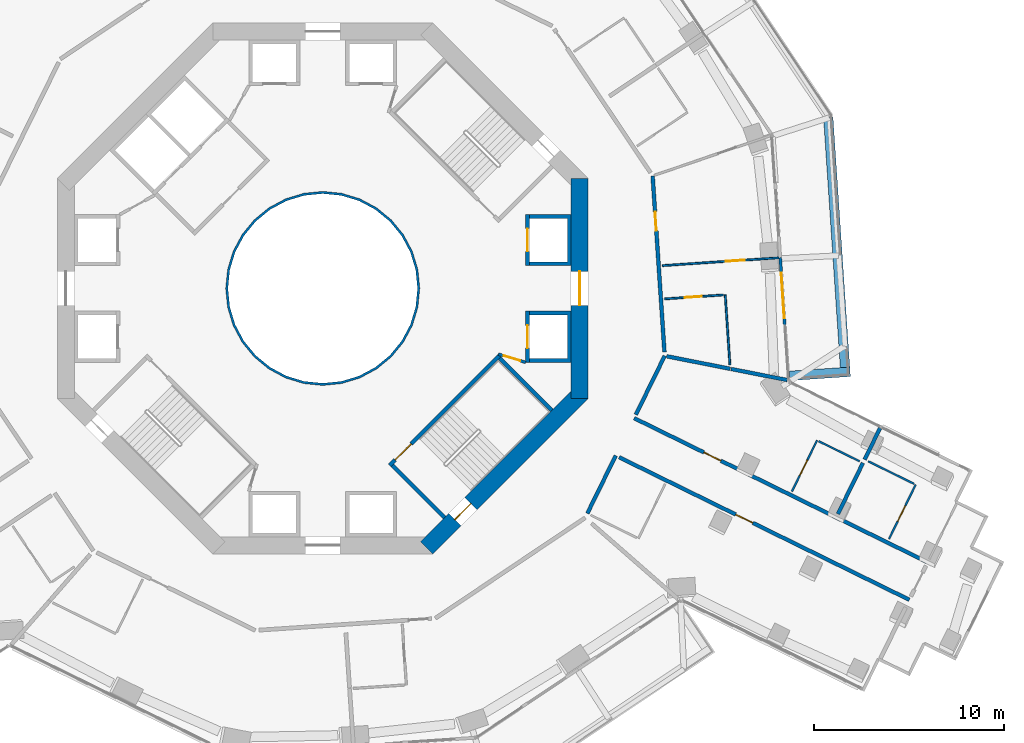
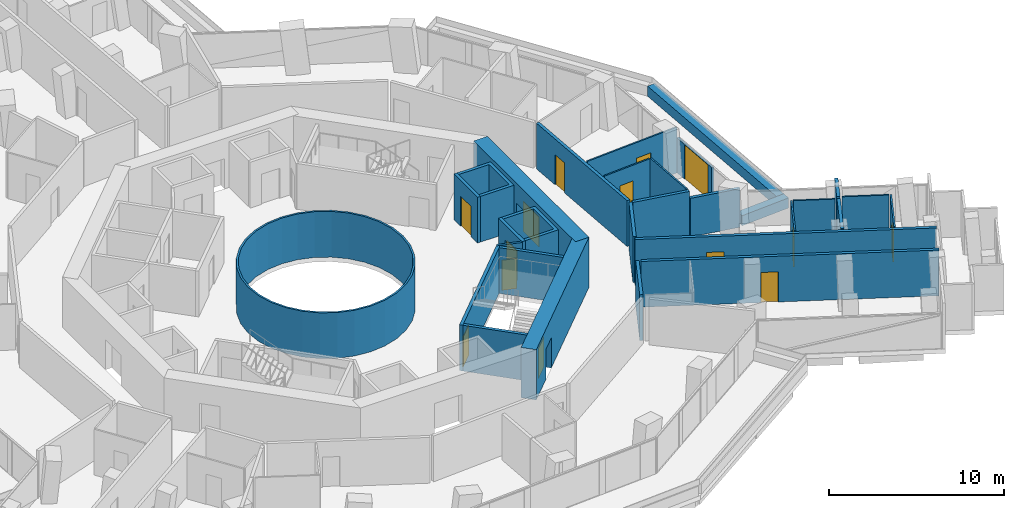
# One storey, part 19 of 25: 30 walls, 14 doors, 14 openings.
"""IFC4 building model written with IfcOpenShell, lengths in metres."""

from ifc_helpers import new_model, si_unit, direction, frame, frame_2d, origin, place, context, subcontext, project, spatial, polyline, rectangle, outline, extrude, material, layer, layer_set, type_object, element, fill, save


model = new_model("IFC4")

# Units and contexts
model_context = context("Model", 3, precision=1e-05, world=origin(), true_north=direction((0.0, 1.0)))
body_context = subcontext(model_context, "Body", "Model", "MODEL_VIEW")
ifc_project = project(units=[si_unit("LENGTHUNIT", "METRE"), si_unit("AREAUNIT", "SQUARE_METRE"), si_unit("VOLUMEUNIT", "CUBIC_METRE"), si_unit("PLANEANGLEUNIT", "RADIAN"), si_unit("MASSUNIT", "GRAM", prefix="KILO")], contexts=[model_context])

# Site, building, storey
site_placement = place(None, origin())
site = spatial("IfcSite", under=ifc_project, at=site_placement, CompositionType="ELEMENT")
building_placement = place(site_placement, origin())
building = spatial("IfcBuilding", under=site, at=building_placement, Name="Verdalira Terraces Hotel", CompositionType="ELEMENT")
storey_placement = place(building_placement, frame((0.0, 0.0, 49.5)))
storey = spatial("IfcBuildingStorey", under=building, at=storey_placement, Name="L10", CompositionType="ELEMENT", Elevation=49.5)

# Walls
ifc_material_1 = material(Name="Fire-resisting glass EI 180", Category="glass")
ifc_layer_1 = layer(ifc_material_1, 0.1201171875)
ifc_layer_set_1 = layer_set([ifc_layer_1], Name="Atrium fire screen 120 mm")
wall_type_1 = type_object("IfcWallType", Name="Atrium fire screen 120 mm", PredefinedType="SOLIDWALL", material=ifc_layer_set_1)
wall_1_placement = place(storey_placement, origin())
element("IfcWall", 1, at=wall_1_placement, inside=storey, type_object=wall_type_1, Name="Atrium fire screen", PredefinedType="SOLIDWALL", context=body_context, shape_type="SweptSolid", body=[
    extrude(outline(polyline([(5.021484, -0.998779), (4.730225, -1.959229), (4.25708, -2.844482), (3.620361, -3.620361), (2.844482, -4.25708), (1.959229, -4.730225), (0.998779, -5.021484), (0.0, -5.120117), (-0.998779, -5.021484), (-1.959229, -4.730225), (-2.844482, -4.25708), (-3.620361, -3.620361), (-4.25708, -2.844482), (-4.730225, -1.959229), (-5.021484, -0.998779), (-5.120117, 0.0), (-5.021484, 0.998779), (-4.730225, 1.959229), (-4.25708, 2.844482), (-3.620361, 3.620361), (-2.844482, 4.25708), (-1.959229, 4.730225), (-0.998779, 5.021484), (0.0, 5.120117), (0.998779, 5.021484), (1.959229, 4.730225), (2.844482, 4.25708), (3.620361, 3.620361), (4.25708, 2.844482), (4.730225, 1.959229), (5.021484, 0.998779), (5.120117, 0.0), (5.021484, -0.998779)]), holes=[polyline([(4.903809, 0.975586), (4.619385, 1.91333), (4.157227, 2.777832), (3.5354, 3.5354), (2.777832, 4.157227), (1.91333, 4.619385), (0.975586, 4.903809), (0.0, 5.0), (-0.975586, 4.903809), (-1.91333, 4.619385), (-2.777832, 4.157227), (-3.5354, 3.5354), (-4.157227, 2.777832), (-4.619385, 1.91333), (-4.903809, 0.975586), (-5.0, 0.0), (-4.903809, -0.975586), (-4.619385, -1.91333), (-4.157227, -2.777832), (-3.5354, -3.5354), (-2.777832, -4.157227), (-1.91333, -4.619385), (-0.975586, -4.903809), (0.0, -5.0), (0.975586, -4.903809), (1.91333, -4.619385), (2.777832, -4.157227), (3.5354, -3.5354), (4.157227, -2.777832), (4.619385, -1.91333), (4.903809, -0.975586), (5.0, 0.0), (4.903809, 0.975586)])]), origin(), (0.0, 0.0, 1.0), 3.189941),
])
ifc_material_2 = material(Name="Concrete C40", Category="concrete")
ifc_layer_2 = layer(ifc_material_2, 0.5)
ifc_layer_set_2 = layer_set([ifc_layer_2], Name="Balcony planter trough with tree")
wall_type_2 = type_object("IfcWallType", Name="Balcony planter trough with tree", PredefinedType="SOLIDWALL", material=ifc_layer_set_2)
wall_2_placement = place(storey_placement, frame((24.623535, -4.611328, 0.0), z_axis=(0.0, 0.0, 1.0), x_axis=(0.997752279, 0.067010365, 0.0)))
element("IfcWall", 2, at=wall_2_placement, inside=storey, type_object=wall_type_2, Name="Balcony planter", PredefinedType="SOLIDWALL", context=body_context, shape_type="SweptSolid", body=[
    extrude(rectangle(XDim=3.19873, YDim=0.5, at=frame_2d((1.599365, 0.0))), origin(), (0.0, 0.0, 1.0), 0.699951),
])
wall_3_placement = place(storey_placement, frame((27.549072, -4.164307, 0.0), z_axis=(0.0, 0.0, 1.0), x_axis=(-0.066965055, 0.997755321, 0.0)))
element("IfcWall", 3, at=wall_3_placement, inside=storey, type_object=wall_type_2, Name="Balcony planter", PredefinedType="SOLIDWALL", context=body_context, shape_type="SweptSolid", body=[
    extrude(rectangle(XDim=13.223389, YDim=0.5, at=frame_2d((6.611816, 0.0))), origin(), (0.0, 0.0, 1.0), 0.699951),
])

# Wall, opening, door
ifc_material_3 = material(Name="Moisture-resistant gypsum board partition")
ifc_layer_3 = layer(ifc_material_3, 0.10009765625)
ifc_layer_set_3 = layer_set([ifc_layer_3], Name="Bathroom partition 100 mm")
wall_type_3 = type_object("IfcWallType", Name="Bathroom partition 100 mm", PredefinedType="PARTITIONING", material=ifc_layer_set_3)
wall_4_placement = place(storey_placement, frame((21.128906, -0.343994, 0.0), z_axis=(0.0, 0.0, 1.0), x_axis=(-0.997751578, -0.067020806, 0.0)))
wall_4 = element("IfcWall", 4, at=wall_4_placement, inside=storey, type_object=wall_type_3, Name="Bathroom partition", PredefinedType="PARTITIONING", context=body_context, shape_type="SweptSolid", body=[
    extrude(rectangle(XDim=3.100098, YDim=0.100098, at=frame_2d((1.550049, 0.0))), origin(), (0.0, 0.0, 1.0), 3.189941),
])
opening_1_placement = place(wall_4_placement, frame((1.149902, 0.0, 0.0)))
opening_1 = element("IfcOpeningElement", 5, at=opening_1_placement, cuts=wall_4, Name="Opening L10-135", PredefinedType="OPENING", context=body_context, shape_type="SweptSolid", body=[
    extrude(rectangle(XDim=0.899902, YDim=2.100098, at=frame_2d((0.449951, 1.050049))), frame((0.0, 0.060059, 0.0), z_axis=(0.0, -1.0, 0.0), x_axis=(1.0, 0.0, 0.0)), (0.0, 0.0, 1.0), 0.120117),
])
ifc_material_4 = material(Name="Timber door", Category="wood")
door_type_1 = type_object("IfcDoorType", Name="Bathroom door 900 x 2100", OperationType="NOTDEFINED", PredefinedType="DOOR", material=ifc_material_4)
door_1_placement = place(opening_1_placement, origin())
door_1 = element("IfcDoor", 6, at=door_1_placement, inside=storey, type_object=door_type_1, Name="Bathroom door 1014", OperationType="SINGLE_SWING_LEFT", OverallHeight=2.10009765625, OverallWidth=0.89990234375, PredefinedType="DOOR", context=body_context, shape_type="SweptSolid", body=[
    extrude(rectangle(XDim=0.899902, YDim=2.100098, at=frame_2d((0.449951, 1.050049))), frame((0.0, 0.024902, 0.0), z_axis=(0.0, -1.0, 0.0), x_axis=(1.0, 0.0, 0.0)), (0.0, 0.0, 1.0), 0.050049),
])
fill(opening_1, door_1)

wall_5_placement = place(storey_placement, frame((24.054199, 1.614502, 0.0), z_axis=(0.0, 0.0, 1.0), x_axis=(-0.99775502, -0.066969552, 0.0)))
wall_5 = element("IfcWall", 7, at=wall_5_placement, inside=storey, type_object=wall_type_3, Name="Bathroom partition", PredefinedType="PARTITIONING", context=body_context, shape_type="SweptSolid", body=[
    extrude(rectangle(XDim=6.150146, YDim=0.100098, at=frame_2d((3.075195, 0.0))), origin(), (0.0, 0.0, 1.0), 3.189941),
])
opening_2_placement = place(wall_5_placement, frame((1.800049, 0.0, 0.0)))
opening_2 = element("IfcOpeningElement", 8, at=opening_2_placement, cuts=wall_5, Name="Opening L10-133", PredefinedType="OPENING", context=body_context, shape_type="SweptSolid", body=[
    extrude(rectangle(XDim=1.0, YDim=2.100098, at=frame_2d((0.5, 1.050049))), frame((0.0, 0.060059, 0.0), z_axis=(0.0, -1.0, 0.0), x_axis=(1.0, 0.0, 0.0)), (0.0, 0.0, 1.0), 0.120117),
])
ifc_material_5 = material(Name="Timber door", Category="wood")
door_type_2 = type_object("IfcDoorType", Name="Suite internal door 1000 x 2100", OperationType="NOTDEFINED", PredefinedType="DOOR", material=ifc_material_5)
door_2_placement = place(opening_2_placement, origin())
door_2 = element("IfcDoor", 9, at=door_2_placement, inside=storey, type_object=door_type_2, Name="Suite internal door 1014", OperationType="SINGLE_SWING_LEFT", OverallHeight=2.10009765625, OverallWidth=1.0, PredefinedType="DOOR", context=body_context, shape_type="SweptSolid", body=[
    extrude(rectangle(XDim=1.0, YDim=2.100098, at=frame_2d((0.5, 1.050049))), frame((0.0, 0.024902, 0.0), z_axis=(0.0, -1.0, 0.0), x_axis=(1.0, 0.0, 0.0)), (0.0, 0.0, 1.0), 0.050049),
])
fill(opening_2, door_2)

# Wall
wall_6_placement = place(storey_placement, frame((21.476562, -4.033203, 0.0), z_axis=(0.0, 0.0, 1.0), x_axis=(-0.066965213, 0.997755311, 0.0)))
element("IfcWall", 10, at=wall_6_placement, inside=storey, type_object=wall_type_3, Name="Bathroom partition", PredefinedType="PARTITIONING", context=body_context, shape_type="SweptSolid", body=[
    extrude(rectangle(XDim=3.704102, YDim=0.100098, at=frame_2d((1.852051, 0.0))), origin(), (0.0, 0.0, 1.0), 3.189941),
])

# Wall, opening, door
wall_7_placement = place(storey_placement, frame((26.070068, -8.014648, 0.0), z_axis=(0.0, 0.0, 1.0), x_axis=(-0.440887778, -0.897562236, 0.0)))
wall_7 = element("IfcWall", 11, at=wall_7_placement, inside=storey, type_object=wall_type_3, Name="Bathroom partition", PredefinedType="PARTITIONING", context=body_context, shape_type="SweptSolid", body=[
    extrude(rectangle(XDim=3.000244, YDim=0.100098, at=frame_2d((1.5, 0.0))), origin(), (0.0, 0.0, 1.0), 3.189941),
])
opening_3_placement = place(wall_7_placement, frame((1.149902, 0.0, 0.0)))
opening_3 = element("IfcOpeningElement", 12, at=opening_3_placement, cuts=wall_7, Name="Opening L10-131", PredefinedType="OPENING", context=body_context, shape_type="SweptSolid", body=[
    extrude(rectangle(XDim=0.899902, YDim=2.100098, at=frame_2d((0.449951, 1.050049))), frame((0.0, 0.060059, 0.0), z_axis=(0.0, -1.0, 0.0), x_axis=(1.0, 0.0, 0.0)), (0.0, 0.0, 1.0), 0.120117),
])
door_3_placement = place(opening_3_placement, origin())
door_3 = element("IfcDoor", 13, at=door_3_placement, inside=storey, type_object=door_type_1, Name="Bathroom door 1013", OperationType="SINGLE_SWING_LEFT", OverallHeight=2.10009765625, OverallWidth=0.89990234375, PredefinedType="DOOR", context=body_context, shape_type="SweptSolid", body=[
    extrude(rectangle(XDim=0.899902, YDim=2.100098, at=frame_2d((0.449951, 1.050049))), frame((0.0, 0.024902, 0.0), z_axis=(0.0, -1.0, 0.0), x_axis=(1.0, 0.0, 0.0)), (0.0, 0.0, 1.0), 0.050049),
])
fill(opening_3, door_3)

# Walls
wall_8_placement = place(storey_placement, frame((26.159912, -8.058838, 0.0), z_axis=(0.0, 0.0, 1.0), x_axis=(0.897558564, -0.440895253, 0.0)))
element("IfcWall", 14, at=wall_8_placement, inside=storey, type_object=wall_type_3, Name="Bathroom partition", PredefinedType="PARTITIONING", context=body_context, shape_type="SweptSolid", body=[
    extrude(rectangle(XDim=2.399902, YDim=0.100098, at=frame_2d((1.199951, 0.0))), origin(), (0.0, 0.0, 1.0), 3.189941),
])
wall_9_placement = place(storey_placement, frame((31.18457, -10.304199, 0.0), z_axis=(0.0, 0.0, 1.0), x_axis=(-0.897551815, 0.440908992, 0.0)))
element("IfcWall", 15, at=wall_9_placement, inside=storey, type_object=wall_type_3, Name="Bathroom partition", PredefinedType="PARTITIONING", context=body_context, shape_type="SweptSolid", body=[
    extrude(rectangle(XDim=2.699951, YDim=0.100098, at=frame_2d((1.350098, 0.0))), origin(), (0.0, 0.0, 1.0), 3.189941),
])

# Wall, opening, door
wall_10_placement = place(storey_placement, frame((29.863525, -13.220459, 0.0), z_axis=(0.0, 0.0, 1.0), x_axis=(0.440885549, 0.897563331, 0.0)))
wall_10 = element("IfcWall", 16, at=wall_10_placement, inside=storey, type_object=wall_type_3, Name="Bathroom partition", PredefinedType="PARTITIONING", context=body_context, shape_type="SweptSolid", body=[
    extrude(rectangle(XDim=3.200195, YDim=0.100098, at=frame_2d((1.600098, 0.0))), origin(), (0.0, 0.0, 1.0), 3.189941),
])
opening_4_placement = place(wall_10_placement, frame((1.050049, 0.0, 0.0)))
opening_4 = element("IfcOpeningElement", 17, at=opening_4_placement, cuts=wall_10, Name="Opening L10-129", PredefinedType="OPENING", context=body_context, shape_type="SweptSolid", body=[
    extrude(rectangle(XDim=0.899902, YDim=2.100098, at=frame_2d((0.449951, 1.050049))), frame((0.0, 0.060059, 0.0), z_axis=(0.0, -1.0, 0.0), x_axis=(1.0, 0.0, 0.0)), (0.0, 0.0, 1.0), 0.120117),
])
door_4_placement = place(opening_4_placement, origin())
door_4 = element("IfcDoor", 18, at=door_4_placement, inside=storey, type_object=door_type_1, Name="Bathroom door 1012", OperationType="SINGLE_SWING_RIGHT", OverallHeight=2.10009765625, OverallWidth=0.89990234375, PredefinedType="DOOR", context=body_context, shape_type="SweptSolid", body=[
    extrude(rectangle(XDim=0.899902, YDim=2.100098, at=frame_2d((0.449951, 1.050049))), frame((0.0, 0.024902, 0.0), z_axis=(0.0, -1.0, 0.0), x_axis=(1.0, 0.0, 0.0)), (0.0, 0.0, 1.0), 0.050049),
])
fill(opening_4, door_4)

# Wall
ifc_material_6 = material(Name="Concrete C50", Category="concrete")
ifc_layer_4 = layer(ifc_material_6, 0.199951171875)
ifc_layer_set_4 = layer_set([ifc_layer_4], Name="Core RC wall 200 C50")
wall_type_4 = type_object("IfcWallType", Name="Core RC wall 200 C50", PredefinedType="SOLIDWALL", material=ifc_layer_set_4)
wall_11_placement = place(storey_placement, origin())
element("IfcWall", 19, at=wall_11_placement, inside=storey, type_object=wall_type_4, Name="L10 shaft wall E1", PredefinedType="SOLIDWALL", context=body_context, shape_type="SweptSolid", body=[
    extrude(outline(polyline([(13.100098, -3.899902), (10.899902, -3.899902), (10.899902, -3.699951), (12.899902, -3.699951), (12.899902, -1.399902), (10.899902, -1.399902), (10.899902, -1.199951), (13.100098, -1.199951), (13.100098, -3.899902)])), origin(), (0.0, 0.0, 1.0), 3.189941),
])

# Wall, opening, door
wall_12_placement = place(storey_placement, frame((10.800049, -1.199951, 0.0), z_axis=(0.0, 0.0, 1.0), x_axis=(0.0, -1.0, 0.0)))
wall_12 = element("IfcWall", 20, at=wall_12_placement, inside=storey, type_object=wall_type_4, Name="L10 shaft front wall E1", PredefinedType="SOLIDWALL", context=body_context, shape_type="SweptSolid", body=[
    extrude(rectangle(XDim=2.699951, YDim=0.199951, at=frame_2d((1.350098, 0.0))), origin(), (0.0, 0.0, 1.0), 3.189941),
])
opening_5_placement = place(wall_12_placement, frame((0.75, 0.0, 0.0)))
opening_5 = element("IfcOpeningElement", 21, at=opening_5_placement, cuts=wall_12, Name="Opening LD-L10-801", PredefinedType="OPENING", context=body_context, shape_type="SweptSolid", body=[
    extrude(rectangle(XDim=1.199951, YDim=2.100098, at=frame_2d((0.600098, 1.050049))), frame((0.0, 0.109863, 0.0), z_axis=(0.0, -1.0, 0.0), x_axis=(1.0, 0.0, 0.0)), (0.0, 0.0, 1.0), 0.219971),
])
ifc_material_7 = material(Name="Stainless steel", Category="steel")
door_type_3 = type_object("IfcDoorType", Name="Landing door 1200 x 2100", OperationType="NOTDEFINED", PredefinedType="DOOR", material=ifc_material_7)
door_5_placement = place(opening_5_placement, origin())
door_5 = element("IfcDoor", 22, at=door_5_placement, inside=storey, type_object=door_type_3, Name="Lift landing door LR1 L10", OperationType="DOUBLE_DOOR_SLIDING", OverallHeight=2.10009765625, OverallWidth=1.199951171875, PredefinedType="DOOR", context=body_context, shape_type="SweptSolid", body=[
    extrude(rectangle(XDim=1.199951, YDim=2.100098, at=frame_2d((0.600098, 1.050049))), frame((0.0, 0.024902, 0.0), z_axis=(0.0, -1.0, 0.0), x_axis=(1.0, 0.0, 0.0)), (0.0, 0.0, 1.0), 0.050049),
])
fill(opening_5, door_5)

# Wall
wall_13_placement = place(storey_placement, origin())
element("IfcWall", 23, at=wall_13_placement, inside=storey, type_object=wall_type_4, Name="L10 shaft wall E2", PredefinedType="SOLIDWALL", context=body_context, shape_type="SweptSolid", body=[
    extrude(outline(polyline([(13.100098, 3.899902), (13.100098, 1.199951), (10.899902, 1.199951), (10.899902, 1.399902), (12.899902, 1.399902), (12.899902, 3.699951), (10.899902, 3.699951), (10.899902, 3.899902), (13.100098, 3.899902)])), origin(), (0.0, 0.0, 1.0), 3.189941),
])

# Wall, opening, door
wall_14_placement = place(storey_placement, frame((10.800049, 1.199951, 0.0), z_axis=(0.0, 0.0, 1.0), x_axis=(0.0, 1.0, 0.0)))
wall_14 = element("IfcWall", 24, at=wall_14_placement, inside=storey, type_object=wall_type_4, Name="L10 shaft front wall E2", PredefinedType="SOLIDWALL", context=body_context, shape_type="SweptSolid", body=[
    extrude(rectangle(XDim=2.699951, YDim=0.199951, at=frame_2d((1.350098, 0.0))), origin(), (0.0, 0.0, 1.0), 3.189941),
])
opening_6_placement = place(wall_14_placement, frame((0.75, 0.0, 0.0)))
opening_6 = element("IfcOpeningElement", 25, at=opening_6_placement, cuts=wall_14, Name="Opening LD-L10-802", PredefinedType="OPENING", context=body_context, shape_type="SweptSolid", body=[
    extrude(rectangle(XDim=1.199951, YDim=2.100098, at=frame_2d((0.600098, 1.050049))), frame((0.0, 0.109863, 0.0), z_axis=(0.0, -1.0, 0.0), x_axis=(1.0, 0.0, 0.0)), (0.0, 0.0, 1.0), 0.219971),
])
door_6_placement = place(opening_6_placement, origin())
door_6 = element("IfcDoor", 26, at=door_6_placement, inside=storey, type_object=door_type_3, Name="Lift landing door LR2 L10", OperationType="DOUBLE_DOOR_SLIDING", OverallHeight=2.10009765625, OverallWidth=1.199951171875, PredefinedType="DOOR", context=body_context, shape_type="SweptSolid", body=[
    extrude(rectangle(XDim=1.199951, YDim=2.100098, at=frame_2d((0.600098, 1.050049))), frame((0.0, 0.024902, 0.0), z_axis=(0.0, -1.0, 0.0), x_axis=(1.0, 0.0, 0.0)), (0.0, 0.0, 1.0), 0.050049),
])
fill(opening_6, door_6)

wall_15_placement = place(storey_placement, frame((9.33374, -3.5354, 0.0), z_axis=(0.0, 0.0, 1.0), x_axis=(-0.707106781, -0.707106781, 0.0)))
wall_15 = element("IfcWall", 27, at=wall_15_placement, inside=storey, type_object=wall_type_4, Name="L10 stair ST3 front wall", PredefinedType="SOLIDWALL", context=body_context, shape_type="SweptSolid", body=[
    extrude(rectangle(XDim=8.200195, YDim=0.199951, at=frame_2d((4.100098, 0.0))), origin(), (0.0, 0.0, 1.0), 3.189941),
])
opening_7_placement = place(wall_15_placement, frame((6.600098, 0.0, 0.0)))
opening_7 = element("IfcOpeningElement", 28, at=opening_7_placement, cuts=wall_15, Name="Opening L10-811", PredefinedType="OPENING", context=body_context, shape_type="SweptSolid", body=[
    extrude(rectangle(XDim=1.199951, YDim=2.100098, at=frame_2d((0.600098, 1.050049))), frame((0.0, 0.109863, 0.0), z_axis=(0.0, -1.0, 0.0), x_axis=(1.0, 0.0, 0.0)), (0.0, 0.0, 1.0), 0.219971),
])
ifc_material_8 = material(Name="Steel fire door", Category="steel")
door_type_4 = type_object("IfcDoorType", Name="Stair door 1200 x 2100", OperationType="NOTDEFINED", PredefinedType="DOOR", material=ifc_material_8)
door_7_placement = place(opening_7_placement, origin())
door_7 = element("IfcDoor", 29, at=door_7_placement, inside=storey, type_object=door_type_4, Name="Stair door ST3 L10", OperationType="SINGLE_SWING_RIGHT", OverallHeight=2.10009765625, OverallWidth=1.199951171875, PredefinedType="DOOR", context=body_context, shape_type="SweptSolid", body=[
    extrude(rectangle(XDim=1.199951, YDim=2.100098, at=frame_2d((0.600098, 1.050049))), frame((0.0, 0.024902, 0.0), z_axis=(0.0, -1.0, 0.0), x_axis=(1.0, 0.0, 0.0)), (0.0, 0.0, 1.0), 0.050049),
])
fill(opening_7, door_7)

# Walls
for number, where, z_axis, x_axis, name in (
    (30, (3.677002, -9.33374, 0.0), (0.0, 0.0, 1.0), (0.707106781, -0.707106781, 0.0), "L10 stair ST3 end wall 1"),
    (31, (9.33374, -3.677002, 0.0), (0.0, 0.0, 1.0), (0.707106781, -0.707106781, 0.0), "L10 stair ST3 end wall 2"),
):
    element("IfcWall", number, at=place(storey_placement, frame(where, z_axis=z_axis, x_axis=x_axis)), inside=storey, type_object=wall_type_4, Name=name, PredefinedType="SOLIDWALL", context=body_context, shape_type="SweptSolid", body=[
        extrude(rectangle(XDim=3.900146, YDim=0.199951, at=frame_2d((1.950195, 0.0))), origin(), (0.0, 0.0, 1.0), 3.189941),
    ])

# Wall, opening, door
ifc_material_9 = material(Name="Gypsum board partition")
ifc_layer_5 = layer(ifc_material_9, 0.14990234375)
ifc_layer_set_5 = layer_set([ifc_layer_5], Name="Core partition 150 mm")
wall_type_5 = type_object("IfcWallType", Name="Core partition 150 mm", PredefinedType="PARTITIONING", material=ifc_layer_set_5)
wall_16_placement = place(storey_placement, frame((9.263184, -3.464844, 0.0), z_axis=(0.0, 0.0, 1.0), x_axis=(0.957084567, -0.289808785, 0.0)))
wall_16 = element("IfcWall", 32, at=wall_16_placement, inside=storey, type_object=wall_type_5, Name="Room partition L10", PredefinedType="PARTITIONING", context=body_context, shape_type="SweptSolid", body=[
    extrude(rectangle(XDim=1.501221, YDim=0.149902, at=frame_2d((0.750488, 0.0))), origin(), (0.0, 0.0, 1.0), 3.189941),
])
opening_8_placement = place(wall_16_placement, frame((0.300781, 0.0, 0.0)))
opening_8 = element("IfcOpeningElement", 33, at=opening_8_placement, cuts=wall_16, Name="Opening L10-824", PredefinedType="OPENING", context=body_context, shape_type="SweptSolid", body=[
    extrude(rectangle(XDim=0.899902, YDim=2.100098, at=frame_2d((0.449951, 1.050049))), frame((0.0, 0.084961, 0.0), z_axis=(0.0, -1.0, 0.0), x_axis=(1.0, 0.0, 0.0)), (0.0, 0.0, 1.0), 0.169922),
])
ifc_material_10 = material(Name="Steel fire door", Category="steel")
door_type_5 = type_object("IfcDoorType", Name="Core room door 900 x 2100", OperationType="NOTDEFINED", PredefinedType="DOOR", material=ifc_material_10)
door_8_placement = place(opening_8_placement, origin())
door_8 = element("IfcDoor", 34, at=door_8_placement, inside=storey, type_object=door_type_5, Name="Door L10 room7", OperationType="SINGLE_SWING_LEFT", OverallHeight=2.10009765625, OverallWidth=0.89990234375, PredefinedType="DOOR", context=body_context, shape_type="SweptSolid", body=[
    extrude(rectangle(XDim=0.899902, YDim=2.100098, at=frame_2d((0.449951, 1.050049))), frame((0.0, 0.024902, 0.0), z_axis=(0.0, -1.0, 0.0), x_axis=(1.0, 0.0, 0.0)), (0.0, 0.0, 1.0), 0.050049),
])
fill(opening_8, door_8)

ifc_material_11 = material(Name="Concrete C70", Category="concrete")
ifc_layer_6 = layer(ifc_material_11, 0.89990234375)
ifc_layer_set_6 = layer_set([ifc_layer_6], Name="Core wall 900 C70")
wall_type_6 = type_object("IfcWallType", Name="Core wall 900 C70", PredefinedType="SHEAR", material=ifc_layer_set_6)
wall_17_placement = place(storey_placement, frame((13.550049, -5.799072, 0.0), z_axis=(0.0, 0.0, 1.0), x_axis=(0.0, 1.0, 0.0)))
wall_17 = element("IfcWall", 35, at=wall_17_placement, inside=storey, type_object=wall_type_6, Name="Core wall CW-L10-1", PredefinedType="SHEAR", context=body_context, shape_type="SweptSolid", body=[
    extrude(rectangle(XDim=11.598145, YDim=0.899902, at=frame_2d((5.799072, 0.0))), origin(), (0.0, 0.0, 1.0), 3.5),
])
opening_9_placement = place(wall_17_placement, frame((4.898926, 0.0, 0.0)))
opening_9 = element("IfcOpeningElement", 36, at=opening_9_placement, cuts=wall_17, Name="Opening L10-812", PredefinedType="OPENING", context=body_context, shape_type="SweptSolid", body=[
    extrude(rectangle(XDim=1.800049, YDim=2.100098, at=frame_2d((0.899902, 1.050049))), frame((0.0, 0.459961, 0.0), z_axis=(0.0, -1.0, 0.0), x_axis=(1.0, 0.0, 0.0)), (0.0, 0.0, 1.0), 0.919922),
])
ifc_material_12 = material(Name="Steel fire door", Category="steel")
door_type_6 = type_object("IfcDoorType", Name="Core entry door pair 1800 x 2100", OperationType="NOTDEFINED", PredefinedType="DOOR", material=ifc_material_12)
door_9_placement = place(opening_9_placement, origin())
door_9 = element("IfcDoor", 37, at=door_9_placement, inside=storey, type_object=door_type_6, Name="Core entry door L10 0", OperationType="DOUBLE_DOOR_SINGLE_SWING", OverallHeight=2.10009765625, OverallWidth=1.800048828125, PredefinedType="DOOR", context=body_context, shape_type="SweptSolid", body=[
    extrude(rectangle(XDim=1.800049, YDim=2.100098, at=frame_2d((0.899902, 1.050049))), frame((0.0, 0.024902, 0.0), z_axis=(0.0, -1.0, 0.0), x_axis=(1.0, 0.0, 0.0)), (0.0, 0.0, 1.0), 0.050049),
])
fill(opening_9, door_9)

wall_18_placement = place(storey_placement, frame((5.480713, -13.681885, 0.0), z_axis=(0.0, 0.0, 1.0), x_axis=(0.707106781, 0.707106781, 0.0)))
wall_18 = element("IfcWall", 38, at=wall_18_placement, inside=storey, type_object=wall_type_6, Name="Core wall CW-L10-8", PredefinedType="SHEAR", context=body_context, shape_type="SweptSolid", body=[
    extrude(rectangle(XDim=11.598145, YDim=0.899902, at=frame_2d((5.799072, 0.0))), origin(), (0.0, 0.0, 1.0), 3.5),
])
opening_10_placement = place(wall_18_placement, frame((2.099121, 0.0, 0.0)))
opening_10 = element("IfcOpeningElement", 39, at=opening_10_placement, cuts=wall_18, Name="Opening L10-818", PredefinedType="OPENING", context=body_context, shape_type="SweptSolid", body=[
    extrude(rectangle(XDim=1.199951, YDim=2.100098, at=frame_2d((0.600098, 1.050049))), frame((0.0, 0.459961, 0.0), z_axis=(0.0, -1.0, 0.0), x_axis=(1.0, 0.0, 0.0)), (0.0, 0.0, 1.0), 0.919922),
])
door_10_placement = place(opening_10_placement, origin())
door_10 = element("IfcDoor", 40, at=door_10_placement, inside=storey, type_object=door_type_4, Name="Stair exit door ST3 L10", OperationType="SINGLE_SWING_LEFT", OverallHeight=2.10009765625, OverallWidth=1.199951171875, PredefinedType="DOOR", context=body_context, shape_type="SweptSolid", body=[
    extrude(rectangle(XDim=1.199951, YDim=2.100098, at=frame_2d((0.600098, 1.050049))), frame((0.0, 0.024902, 0.0), z_axis=(0.0, -1.0, 0.0), x_axis=(1.0, 0.0, 0.0)), (0.0, 0.0, 1.0), 0.050049),
])
fill(opening_10, door_10)

# Walls
ifc_material_13 = material(Name="Fire-rated gypsum board wall")
ifc_layer_7 = layer(ifc_material_13, 0.199951171875)
ifc_layer_set_7 = layer_set([ifc_layer_7], Name="Demising wall 200 mm")
wall_type_7 = type_object("IfcWallType", Name="Demising wall 200 mm", PredefinedType="SOLIDWALL", material=ifc_layer_set_7)
wall_19_placement = place(storey_placement, frame((18.138672, -3.578369, 0.0), z_axis=(0.0, 0.0, 1.0), x_axis=(0.981090984, -0.193547104, 0.0)))
element("IfcWall", 41, at=wall_19_placement, inside=storey, type_object=wall_type_7, Name="Demising wall", PredefinedType="SOLIDWALL", context=body_context, shape_type="SweptSolid", body=[
    extrude(rectangle(XDim=3.418457, YDim=0.199951, at=frame_2d((1.709229, 0.0))), origin(), (0.0, 0.0, 1.0), 3.189941),
])
wall_20_placement = place(storey_placement, frame((27.170898, -11.897705, 0.0), z_axis=(0.0, 0.0, 1.0), x_axis=(0.440891235, 0.897560538, 0.0)))
element("IfcWall", 42, at=wall_20_placement, inside=storey, type_object=wall_type_7, Name="Demising wall", PredefinedType="SOLIDWALL", context=body_context, shape_type="SweptSolid", body=[
    extrude(rectangle(XDim=3.001953, YDim=0.199951, at=frame_2d((1.500977, 0.0))), origin(), (0.0, 0.0, 1.0), 3.189941),
])
wall_21_placement = place(storey_placement, frame((28.581787, -9.025635, 0.0), z_axis=(0.0, 0.0, 1.0), x_axis=(0.440762126, 0.897623946, 0.0)))
element("IfcWall", 43, at=wall_21_placement, inside=storey, type_object=wall_type_7, Name="Demising wall", PredefinedType="SOLIDWALL", context=body_context, shape_type="SweptSolid", body=[
    extrude(rectangle(XDim=1.850098, YDim=0.199951, at=frame_2d((0.925049, 0.0))), origin(), (0.0, 0.0, 1.0), 3.189941),
])
ifc_material_14 = material(Name="Fire-rated gypsum board wall")
ifc_layer_8 = layer(ifc_material_14, 0.199951171875)
ifc_layer_set_8 = layer_set([ifc_layer_8], Name="Demising wall 200 mm to beam soffit")
wall_type_8 = type_object("IfcWallType", Name="Demising wall 200 mm to beam soffit", PredefinedType="SOLIDWALL", material=ifc_layer_set_8)
wall_22_placement = place(storey_placement, frame((21.537598, -4.248779, 0.0), z_axis=(0.0, 0.0, 1.0), x_axis=(0.981079499, -0.193605309, 0.0)))
element("IfcWall", 44, at=wall_22_placement, inside=storey, type_object=wall_type_8, Name="Demising wall", PredefinedType="SOLIDWALL", context=body_context, shape_type="SweptSolid", body=[
    extrude(rectangle(XDim=3.01123, YDim=0.199951, at=frame_2d((1.505615, 0.0))), origin(), (0.0, 0.0, 1.0), 2.689941),
])
ifc_material_15 = material(Name="Fire-rated gypsum board wall")
ifc_layer_9 = layer(ifc_material_15, 0.199951171875)
ifc_layer_set_9 = layer_set([ifc_layer_9], Name="Guest corridor wall 200 mm")
wall_type_9 = type_object("IfcWallType", Name="Guest corridor wall 200 mm", PredefinedType="SOLIDWALL", material=ifc_layer_set_9)
wall_23_placement = place(storey_placement, frame((13.955322, -11.868408, 0.0), z_axis=(0.0, 0.0, 1.0), x_axis=(0.440883583, 0.897564297, 0.0)))
element("IfcWall", 45, at=wall_23_placement, inside=storey, type_object=wall_type_9, Name="Guest corridor wall", PredefinedType="SOLIDWALL", context=body_context, shape_type="SweptSolid", body=[
    extrude(rectangle(XDim=3.400146, YDim=0.199951, at=frame_2d((1.700195, 0.0))), origin(), (0.0, 0.0, 1.0), 3.189941),
])
wall_24_placement = place(storey_placement, frame((16.512451, -6.662354, 0.0), z_axis=(0.0, 0.0, 1.0), x_axis=(0.44087694, 0.89756756, 0.0)))
element("IfcWall", 46, at=wall_24_placement, inside=storey, type_object=wall_type_9, Name="Guest corridor wall", PredefinedType="SOLIDWALL", context=body_context, shape_type="SweptSolid", body=[
    extrude(rectangle(XDim=3.458252, YDim=0.199951, at=frame_2d((1.729004, 0.0))), origin(), (0.0, 0.0, 1.0), 3.189941),
])

# Wall, opening, door
wall_25_placement = place(storey_placement, frame((17.399902, 5.937012, 0.0), z_axis=(0.0, 0.0, 1.0), x_axis=(0.066952071, -0.997756193, 0.0)))
wall_25 = element("IfcWall", 47, at=wall_25_placement, inside=storey, type_object=wall_type_9, Name="Guest corridor wall", PredefinedType="SOLIDWALL", context=body_context, shape_type="SweptSolid", body=[
    extrude(rectangle(XDim=9.316895, YDim=0.199951, at=frame_2d((4.658447, 0.0))), origin(), (0.0, 0.0, 1.0), 3.189941),
])
opening_11_placement = place(wall_25_placement, frame((1.899902, 0.0, 0.0)))
opening_11 = element("IfcOpeningElement", 48, at=opening_11_placement, cuts=wall_25, Name="Opening L10-132", PredefinedType="OPENING", context=body_context, shape_type="SweptSolid", body=[
    extrude(rectangle(XDim=1.0, YDim=2.100098, at=frame_2d((0.5, 1.050049))), frame((0.0, 0.109863, 0.0), z_axis=(0.0, -1.0, 0.0), x_axis=(1.0, 0.0, 0.0)), (0.0, 0.0, 1.0), 0.219971),
])
ifc_material_16 = material(Name="Timber fire door", Category="wood")
door_type_7 = type_object("IfcDoorType", Name="Guest entry door 1000 x 2100", OperationType="NOTDEFINED", PredefinedType="DOOR", material=ifc_material_16)
door_11_placement = place(opening_11_placement, origin())
door_11 = element("IfcDoor", 49, at=door_11_placement, inside=storey, type_object=door_type_7, Name="Guest entry door 1014", OperationType="SINGLE_SWING_LEFT", OverallHeight=2.10009765625, OverallWidth=1.0, PredefinedType="DOOR", context=body_context, shape_type="SweptSolid", body=[
    extrude(rectangle(XDim=1.0, YDim=2.100098, at=frame_2d((0.5, 1.050049))), frame((0.0, 0.024902, 0.0), z_axis=(0.0, -1.0, 0.0), x_axis=(1.0, 0.0, 0.0)), (0.0, 0.0, 1.0), 0.050049),
])
fill(opening_11, door_11)

wall_26_placement = place(storey_placement, frame((30.937012, -16.421631, 0.0), z_axis=(0.0, 0.0, 1.0), x_axis=(-0.897566554, 0.440878987, 0.0)))
wall_26 = element("IfcWall", 50, at=wall_26_placement, inside=storey, type_object=wall_type_9, Name="Guest corridor wall", PredefinedType="SOLIDWALL", context=body_context, shape_type="SweptSolid", body=[
    extrude(rectangle(XDim=17.049561, YDim=0.199951, at=frame_2d((8.524902, 0.0))), origin(), (0.0, 0.0, 1.0), 3.189941),
])
opening_12_placement = place(wall_26_placement, frame((9.199951, 0.0, 0.0)))
opening_12 = element("IfcOpeningElement", 51, at=opening_12_placement, cuts=wall_26, Name="Opening L10-125", PredefinedType="OPENING", context=body_context, shape_type="SweptSolid", body=[
    extrude(rectangle(XDim=1.0, YDim=2.100098, at=frame_2d((0.5, 1.050049))), frame((0.0, 0.109863, 0.0), z_axis=(0.0, -1.0, 0.0), x_axis=(1.0, 0.0, 0.0)), (0.0, 0.0, 1.0), 0.219971),
])
door_12_placement = place(opening_12_placement, origin())
door_12 = element("IfcDoor", 52, at=door_12_placement, inside=storey, type_object=door_type_7, Name="Guest entry door 1011", OperationType="SINGLE_SWING_LEFT", OverallHeight=2.10009765625, OverallWidth=1.0, PredefinedType="DOOR", context=body_context, shape_type="SweptSolid", body=[
    extrude(rectangle(XDim=1.0, YDim=2.100098, at=frame_2d((0.5, 1.050049))), frame((0.0, 0.024902, 0.0), z_axis=(0.0, -1.0, 0.0), x_axis=(1.0, 0.0, 0.0)), (0.0, 0.0, 1.0), 0.050049),
])
fill(opening_12, door_12)

wall_27_placement = place(storey_placement, frame((16.424316, -6.842041, 0.0), z_axis=(0.0, 0.0, 1.0), x_axis=(0.897566707, -0.440878675, 0.0)))
wall_27 = element("IfcWall", 53, at=wall_27_placement, inside=storey, type_object=wall_type_9, Name="Guest corridor wall", PredefinedType="SOLIDWALL", context=body_context, shape_type="SweptSolid", body=[
    extrude(rectangle(XDim=17.249512, YDim=0.199951, at=frame_2d((8.624756, 0.0))), origin(), (0.0, 0.0, 1.0), 3.189941),
])
opening_13_placement = place(wall_27_placement, frame((4.100098, 0.0, 0.0)))
opening_13 = element("IfcOpeningElement", 54, at=opening_13_placement, cuts=wall_27, Name="Opening L10-130", PredefinedType="OPENING", context=body_context, shape_type="SweptSolid", body=[
    extrude(rectangle(XDim=1.0, YDim=2.100098, at=frame_2d((0.5, 1.050049))), frame((0.0, 0.109863, 0.0), z_axis=(0.0, -1.0, 0.0), x_axis=(1.0, 0.0, 0.0)), (0.0, 0.0, 1.0), 0.219971),
])
door_13_placement = place(opening_13_placement, origin())
door_13 = element("IfcDoor", 55, at=door_13_placement, inside=storey, type_object=door_type_7, Name="Guest entry door 1013", OperationType="SINGLE_SWING_LEFT", OverallHeight=2.10009765625, OverallWidth=1.0, PredefinedType="DOOR", context=body_context, shape_type="SweptSolid", body=[
    extrude(rectangle(XDim=1.0, YDim=2.100098, at=frame_2d((0.5, 1.050049))), frame((0.0, 0.024902, 0.0), z_axis=(0.0, -1.0, 0.0), x_axis=(1.0, 0.0, 0.0)), (0.0, 0.0, 1.0), 0.050049),
])
fill(opening_13, door_13)

ifc_material_17 = material(Name="Terracotta cladding", Category="masonry")
ifc_layer_10 = layer(ifc_material_17, 0.14990234375)
ifc_layer_set_10 = layer_set([ifc_layer_10], Name="Terracotta door pier 150")
wall_type_10 = type_object("IfcWallType", Name="Terracotta door pier 150", PredefinedType="SOLIDWALL", material=ifc_layer_set_10)
wall_28_placement = place(storey_placement, frame((24.370117, -1.972412, 0.0), z_axis=(0.0, 0.0, 1.0), x_axis=(-0.066933094, 0.997757466, 0.0)))
wall_28 = element("IfcWall", 56, at=wall_28_placement, inside=storey, type_object=wall_type_10, Name="Terracotta door pier", PredefinedType="SOLIDWALL", context=body_context, shape_type="SweptSolid", body=[
    extrude(rectangle(XDim=3.600098, YDim=0.149902, at=frame_2d((1.800049, 0.0))), origin(), (0.0, 0.0, 1.0), 2.425049),
])
opening_14_placement = place(wall_28_placement, frame((0.399902, 0.0, 0.0)))
opening_14 = element("IfcOpeningElement", 57, at=opening_14_placement, cuts=wall_28, Name="Opening L10-B15", PredefinedType="OPENING", context=body_context, shape_type="SweptSolid", body=[
    extrude(rectangle(XDim=2.399902, YDim=2.399902, at=frame_2d((1.199951, 1.199951))), frame((0.0, 0.084961, 0.0), z_axis=(0.0, -1.0, 0.0), x_axis=(1.0, 0.0, 0.0)), (0.0, 0.0, 1.0), 0.169922),
])
ifc_material_18 = material(Name="Clear glass", Category="glass")
door_type_8 = type_object("IfcDoorType", Name="Balcony sliding door 2400x2400", OperationType="NOTDEFINED", PredefinedType="DOOR", material=ifc_material_18)
door_14_placement = place(opening_14_placement, origin())
door_14 = element("IfcDoor", 58, at=door_14_placement, inside=storey, type_object=door_type_8, Name="Balcony sliding door", OperationType="SLIDING_TO_RIGHT", OverallHeight=2.39990234375, OverallWidth=2.39990234375, PredefinedType="DOOR", context=body_context, shape_type="SweptSolid", body=[
    extrude(rectangle(XDim=2.399902, YDim=2.399902, at=frame_2d((1.199951, 1.199951))), frame((0.0, 0.024902, 0.0), z_axis=(0.0, -1.0, 0.0), x_axis=(1.0, 0.0, 0.0)), (0.0, 0.0, 1.0), 0.050049),
])
fill(opening_14, door_14)

save(model, "model.ifc")
